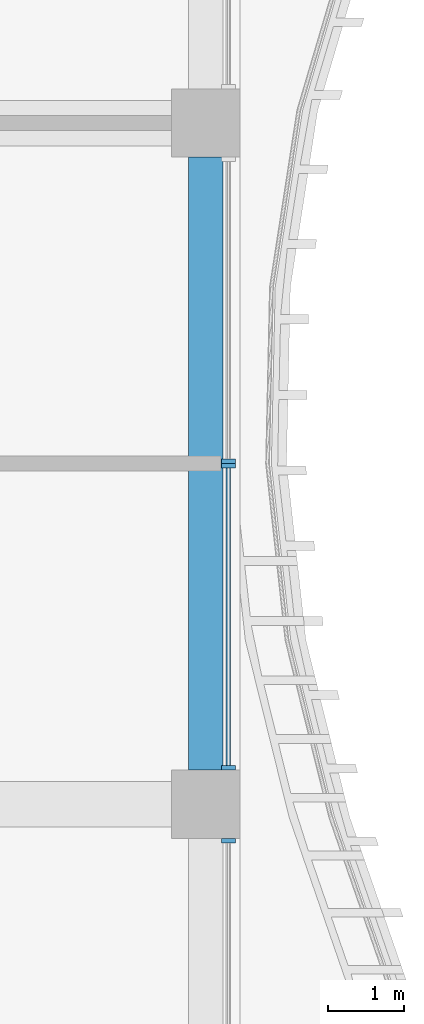
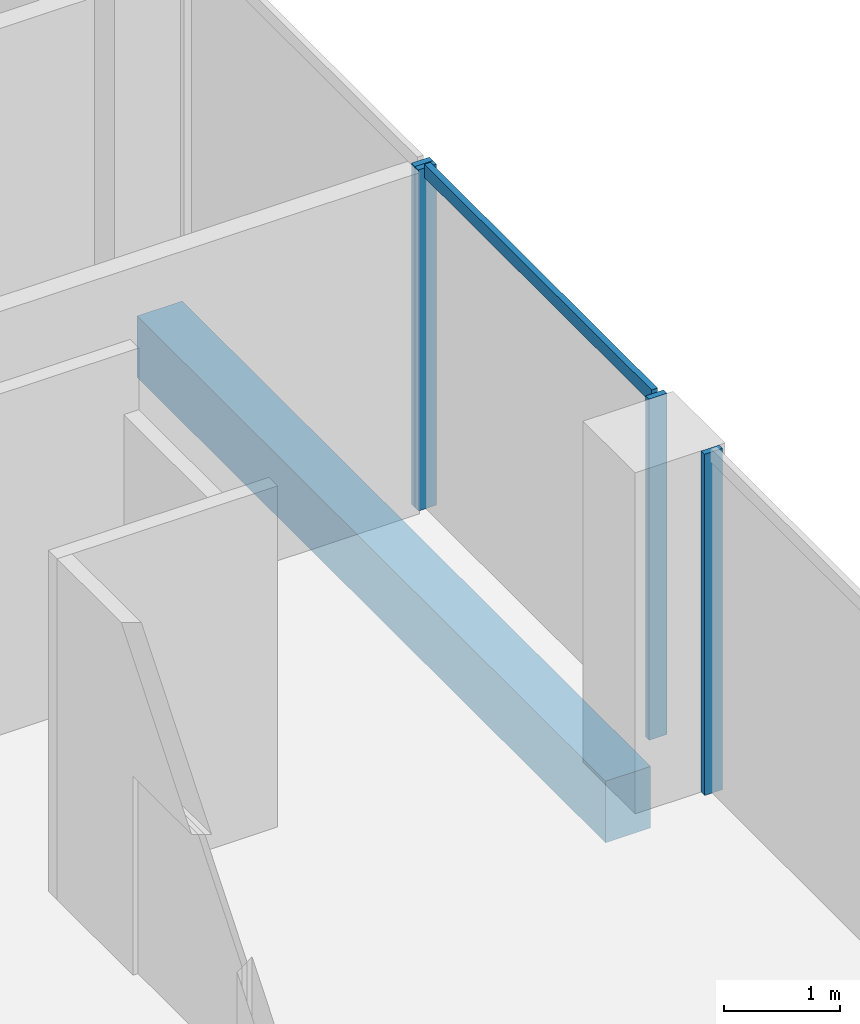
# One storey, part 8 of 21: 5 members, 1 beam, 3 elements without a shape of their own.
"""IFC4 building model written with IfcOpenShell, lengths in metres."""

from ifc_helpers import new_model, si_unit, direction, frame, origin, origin_2d, place, context, subcontext, project, spatial, rectangle, extrude, source, transform, mapped, material, material_profile, profile_set, type_object, element, aggregate, save


model = new_model("IFC4")

# Units and contexts
model_context = context("Model", 3, precision=1e-05, world=origin(), true_north=direction((0.0, 1.0)))
body_context = subcontext(model_context, "Body", "Model", "MODEL_VIEW")
ifc_project = project(units=[si_unit("LENGTHUNIT", "METRE"), si_unit("AREAUNIT", "SQUARE_METRE"), si_unit("VOLUMEUNIT", "CUBIC_METRE"), si_unit("PLANEANGLEUNIT", "RADIAN"), si_unit("MASSUNIT", "GRAM", prefix="KILO")], contexts=[model_context])

# Site, building, storey
site_placement = place(None, origin())
site = spatial("IfcSite", under=ifc_project, at=site_placement, CompositionType="ELEMENT")
building_placement = place(site_placement, origin())
building = spatial("IfcBuilding", under=site, at=building_placement, Name="Kilnfold Tower and Market Hall", CompositionType="ELEMENT")
storey_placement = place(building_placement, frame((0.0, 0.0, 91.199951171875)))
storey = spatial("IfcBuildingStorey", under=building, at=storey_placement, Name="L21", CompositionType="ELEMENT", Elevation=91.199951171875)

# Beam
ifc_material_1 = material(Name="Concrete C45", Category="concrete")
ifc_material_profile_1 = material_profile(ifc_material_1, rectangle(XDim=0.449951171875, YDim=0.64990234375, at=origin_2d()), Name="RC 450x650")
ifc_profile_set_1 = profile_set([ifc_material_profile_1], Name="Concrete C45")
beam_type = type_object("IfcBeamType", Name="EDGE BEAM 450X650 C45", PredefinedType="BEAM", material=ifc_profile_set_1)
shared_shape_1 = source(origin(), body_context, "Body", "SweptSolid", [
    extrude(rectangle(XDim=0.449951171875, YDim=0.64990234375, at=origin_2d()), origin(), (0.0, 0.0, 1.0), 8.10009765625),
])
beam_placement = place(storey_placement, frame((32.550048828125, -0.550048828125, -0.60498046875), z_axis=(0.0, 1.0, 0.0), x_axis=(-1.0, 0.0, 0.0)))
element("IfcBeam", 1, at=beam_placement, inside=storey, type_object=beam_type, Name="Beam EB650-B2.102", PredefinedType="BEAM", context=body_context, shape_type="MappedRepresentation", body=[
    mapped(shared_shape_1, transform((0.0, 0.0, 0.0))),
])

# Curtain wall, member
ifc_material_2 = material(Name="Aluminium and double glazing", Category="aluminium")
curtain_wall_type = type_object("IfcCurtainWallType", Name="CW OF1 VALLEY GLAZING", PredefinedType="NOTDEFINED", material=ifc_material_2)
curtain_wall_1_placement = place(storey_placement, origin())
curtain_wall_1 = element("IfcCurtainWall", 2, at=curtain_wall_1_placement, inside=storey, type_object=curtain_wall_type, Name="Curtain wall CW1 L21 E", PredefinedType="NOTDEFINED")
ifc_material_3 = material(Name="Aluminium", Category="aluminium")
ifc_material_profile_2 = material_profile(ifc_material_3, rectangle(XDim=0.06005859375, YDim=0.139892578125, at=origin_2d()), Name="TRANSOM 60x140")
ifc_profile_set_2 = profile_set([ifc_material_profile_2], Name="Aluminium")
member_type_1 = type_object("IfcMemberType", Name="TRANSOM 60X140", PredefinedType="USERDEFINED", material=ifc_profile_set_2)
shared_shape_2 = source(origin(), body_context, "Body", "SweptSolid", [
    extrude(rectangle(XDim=0.06005859375, YDim=0.139892578125, at=origin_2d()), origin(), (0.0, 0.0, 1.0), 3.929931640625),
])
member_1_placement = place(storey_placement, frame((32.85009765625, -0.489990234375, 3.570068359375), z_axis=(0.0, 1.0, 0.0), x_axis=(-1.0, 0.0, 0.0)))
member_1 = element("IfcMember", 3, at=member_1_placement, type_object=member_type_1, Name="CW1 transom 1.2", ObjectType="TRANSOM", PredefinedType="USERDEFINED", context=body_context, shape_type="MappedRepresentation", body=[
    mapped(shared_shape_2, transform((0.0, 0.0, 0.0))),
])

curtain_wall_2_placement = place(storey_placement, origin())
curtain_wall_2 = element("IfcCurtainWall", 4, at=curtain_wall_2_placement, inside=storey, type_object=curtain_wall_type, Name="Curtain wall CW1 L21 E", PredefinedType="NOTDEFINED")
ifc_material_4 = material(Name="Aluminium", Category="aluminium")
ifc_material_profile_3 = material_profile(ifc_material_4, rectangle(XDim=0.06005859375, YDim=0.179931640625, at=origin_2d()), Name="MULLION 60x180")
ifc_profile_set_3 = profile_set([ifc_material_profile_3], Name="Aluminium")
member_type_2 = type_object("IfcMemberType", Name="MULLION 60X180", PredefinedType="MULLION", material=ifc_profile_set_3)
shared_shape_3 = source(origin(), body_context, "Body", "SweptSolid", [
    extrude(rectangle(XDim=0.06005859375, YDim=0.179931640625, at=origin_2d()), origin(), (0.0, 0.0, 1.0), 3.60009765625),
])
member_2_placement = place(storey_placement, frame((32.85009765625, -1.47998046875, 0.0), z_axis=(0.0, 0.0, 1.0), x_axis=(0.0, 1.0, 0.0)))
member_2 = element("IfcMember", 5, at=member_2_placement, type_object=member_type_2, Name="CW1 mullion 2", PredefinedType="MULLION", context=body_context, shape_type="MappedRepresentation", body=[
    mapped(shared_shape_3, transform((0.0, 0.0, 0.0))),
])
aggregate(curtain_wall_2, [member_2])

# Member
member_3_placement = place(storey_placement, frame((32.85009765625, -0.52001953125, 0.0), z_axis=(0.0, 0.0, 1.0), x_axis=(0.0, 1.0, 0.0)))
member_3 = element("IfcMember", 6, at=member_3_placement, type_object=member_type_2, Name="CW1 mullion 1", PredefinedType="MULLION", context=body_context, shape_type="MappedRepresentation", body=[
    mapped(shared_shape_3, transform((0.0, 0.0, 0.0))),
])

member_4_placement = place(storey_placement, frame((32.85009765625, 3.469970703125, 0.0), z_axis=(0.0, 0.0, 1.0), x_axis=(0.0, 1.0, 0.0)))
member_4 = element("IfcMember", 7, at=member_4_placement, type_object=member_type_2, Name="CW1 mullion 2", PredefinedType="MULLION", context=body_context, shape_type="MappedRepresentation", body=[
    mapped(shared_shape_3, transform((0.0, 0.0, 0.0))),
])

aggregate(curtain_wall_1, [member_3, member_4, member_1])

# Curtain wall, member
curtain_wall_3_placement = place(storey_placement, origin())
curtain_wall_3 = element("IfcCurtainWall", 8, at=curtain_wall_3_placement, inside=storey, type_object=curtain_wall_type, Name="Curtain wall CW1 L21 E", PredefinedType="NOTDEFINED")
member_5_placement = place(storey_placement, frame((32.85009765625, 3.530029296875, 0.0), z_axis=(0.0, 0.0, 1.0), x_axis=(0.0, 1.0, 0.0)))
member_5 = element("IfcMember", 9, at=member_5_placement, type_object=member_type_2, Name="CW1 mullion 1", PredefinedType="MULLION", context=body_context, shape_type="MappedRepresentation", body=[
    mapped(shared_shape_3, transform((0.0, 0.0, 0.0))),
])
aggregate(curtain_wall_3, [member_5])

save(model, "model.ifc")
